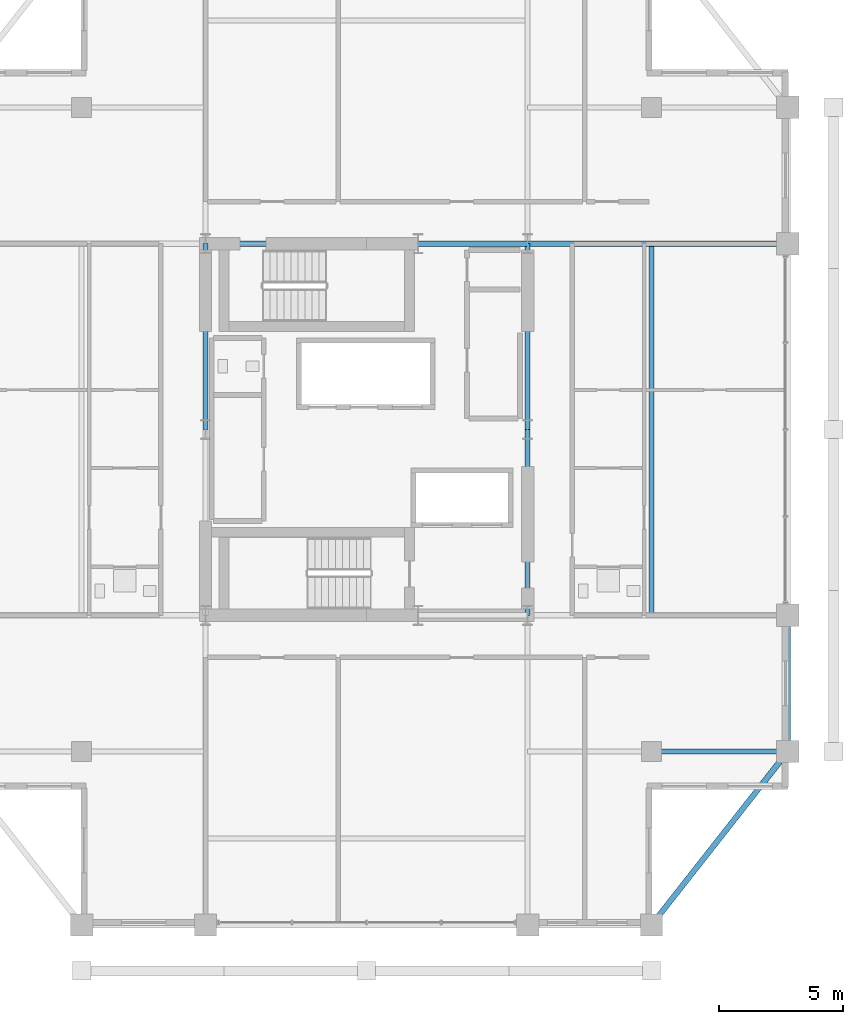
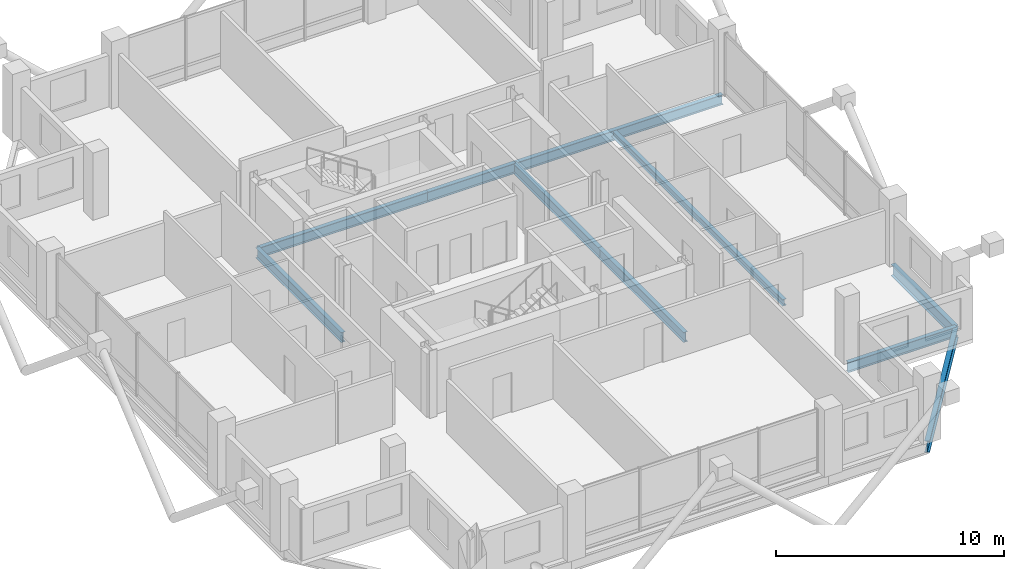
# One storey, part 10 of 23: 10 beams.
"""IFC4 building model written with IfcOpenShell, lengths in metres."""

from ifc_helpers import new_model, si_unit, direction, frame, origin, origin_2d, place, context, subcontext, project, spatial, i_section, extrude, material, material_profile, profile_set, type_object, element, save


model = new_model("IFC4")

# Units and contexts
model_context = context("Model", 3, precision=1e-05, world=origin(), true_north=direction((0.0, 1.0)))
body_context = subcontext(model_context, "Body", "Model", "MODEL_VIEW")
ifc_project = project(units=[si_unit("LENGTHUNIT", "METRE"), si_unit("AREAUNIT", "SQUARE_METRE"), si_unit("VOLUMEUNIT", "CUBIC_METRE"), si_unit("PLANEANGLEUNIT", "RADIAN"), si_unit("MASSUNIT", "GRAM", prefix="KILO")], contexts=[model_context])

# Site, building, storey
site_placement = place(None, origin())
site = spatial("IfcSite", under=ifc_project, at=site_placement, CompositionType="ELEMENT")
building_placement = place(site_placement, origin())
building = spatial("IfcBuilding", under=site, at=building_placement, Name="Barlavira Tower and Art Museum", CompositionType="ELEMENT")
storey_placement = place(building_placement, frame((0.0, 0.0, 290.699951171875)))
storey = spatial("IfcBuildingStorey", under=building, at=storey_placement, Name="L76", CompositionType="ELEMENT", Elevation=290.699951171875)

# Beams
ifc_material = material(Name="Steel S355", Category="steel")
ifc_material_profile_1 = material_profile(ifc_material, i_section(OverallWidth=0.22998046875, OverallDepth=0.616943359375, WebThickness=0.01318359375, FlangeThickness=0.022216796875, at=origin_2d()), Name="W610x140.0")
ifc_profile_set_1 = profile_set([ifc_material_profile_1], Name="Steel S355")
beam_type_1 = type_object("IfcBeamType", Name="Upper Shaft Spandrel Edge Beam W610x140 Steel S355", PredefinedType="SPANDREL", material=ifc_profile_set_1)
beam_1_placement = place(storey_placement, frame((11.5, -20.0, -0.528564453125), z_axis=(0.617821551932, 0.786318338822, 0.0), x_axis=(-0.786318338822, 0.617821551932, 0.0)))
element("IfcBeam", 1, at=beam_1_placement, inside=storey, type_object=beam_type_1, Name="L76 Spandrel 4", PredefinedType="SPANDREL", context=body_context, shape_type="SweptSolid", body=[
    extrude(i_section(OverallWidth=0.22998046875, OverallDepth=0.616943359375, WebThickness=0.01318359375, FlangeThickness=0.022216796875, at=origin_2d()), origin(), (0.0, 0.0, 1.0), 8.90234375),
])
beam_2_placement = place(storey_placement, frame((17.0, -13.0, -0.528564453125), z_axis=(0.0, 1.0, 0.0), x_axis=(-1.0, 0.0, 0.0)))
element("IfcBeam", 2, at=beam_2_placement, inside=storey, type_object=beam_type_1, Name="L76 Spandrel 5", PredefinedType="SPANDREL", context=body_context, shape_type="SweptSolid", body=[
    extrude(i_section(OverallWidth=0.22998046875, OverallDepth=0.616943359375, WebThickness=0.01318359375, FlangeThickness=0.022216796875, at=origin_2d()), origin(), (0.0, 0.0, 1.0), 5.5),
])
ifc_material_profile_2 = material_profile(ifc_material, i_section(OverallWidth=0.2109375, OverallDepth=0.5390625, WebThickness=0.01171875, FlangeThickness=0.018798828125, at=origin_2d()), Name="W530x109.0")
ifc_profile_set_2 = profile_set([ifc_material_profile_2], Name="Steel S355")
beam_type_2 = type_object("IfcBeamType", Name="Zone 3-4 Primary Floor Girder W530x109 Steel S355", PredefinedType="BEAM", material=ifc_profile_set_2)
beam_3_placement = place(storey_placement, frame((-6.5, 7.5, -0.489501953125), z_axis=(1.0, 0.0, 0.0), x_axis=(0.0, 1.0, 0.0)))
element("IfcBeam", 3, at=beam_3_placement, inside=storey, type_object=beam_type_2, Name="L76 Girder C-N1", PredefinedType="BEAM", context=body_context, shape_type="SweptSolid", body=[
    extrude(i_section(OverallWidth=0.2109375, OverallDepth=0.5390625, WebThickness=0.01171875, FlangeThickness=0.018798828125, at=origin_2d()), origin(), (0.0, 0.0, 1.0), 8.580078125),
])
beam_4_placement = place(storey_placement, frame((2.080078125, 7.5, -0.489501953125), z_axis=(1.0, 0.0, 0.0), x_axis=(0.0, 1.0, 0.0)))
element("IfcBeam", 4, at=beam_4_placement, inside=storey, type_object=beam_type_2, Name="L76 Girder C-N2", PredefinedType="BEAM", context=body_context, shape_type="SweptSolid", body=[
    extrude(i_section(OverallWidth=0.2109375, OverallDepth=0.5390625, WebThickness=0.01171875, FlangeThickness=0.018798828125, at=origin_2d()), origin(), (0.0, 0.0, 1.0), 4.419921875),
])
for number, where, z_axis, x_axis, name in (
    (5, (-6.5, 0.0, -0.489501953125), (0.0, 1.0, 0.0), (-1.0, 0.0, 0.0), "L76 Girder C-W2"),
    (6, (6.5, -7.5, -0.489501953125), (0.0, 1.0, 0.0), (-1.0, 0.0, 0.0), "L76 Girder C-E1"),
    (7, (6.5, 0.0, -0.489501953125), (0.0, 1.0, 0.0), (-1.0, 0.0, 0.0), "L76 Girder C-E2"),
):
    element("IfcBeam", number, at=place(storey_placement, frame(where, z_axis=z_axis, x_axis=x_axis)), inside=storey, type_object=beam_type_2, Name=name, PredefinedType="BEAM", context=body_context, shape_type="SweptSolid", body=[
        extrude(i_section(OverallWidth=0.2109375, OverallDepth=0.5390625, WebThickness=0.01171875, FlangeThickness=0.018798828125, at=origin_2d()), origin(), (0.0, 0.0, 1.0), 7.5),
    ])
beam_5_placement = place(storey_placement, frame((6.5, 7.5, -0.489501953125), z_axis=(1.0, 0.0, 0.0), x_axis=(0.0, 1.0, 0.0)))
element("IfcBeam", 8, at=beam_5_placement, inside=storey, type_object=beam_type_2, Name="L76 Girder R-E2", PredefinedType="BEAM", context=body_context, shape_type="SweptSolid", body=[
    extrude(i_section(OverallWidth=0.2109375, OverallDepth=0.5390625, WebThickness=0.01171875, FlangeThickness=0.018798828125, at=origin_2d()), origin(), (0.0, 0.0, 1.0), 10.5),
])
beam_6_placement = place(storey_placement, frame((11.5, -13.0, -0.489501953125), z_axis=(1.0, 0.0, 0.0), x_axis=(0.0, 1.0, 0.0)))
element("IfcBeam", 9, at=beam_6_placement, inside=storey, type_object=beam_type_2, Name="L76 Girder I-S4", PredefinedType="BEAM", context=body_context, shape_type="SweptSolid", body=[
    extrude(i_section(OverallWidth=0.2109375, OverallDepth=0.5390625, WebThickness=0.01171875, FlangeThickness=0.018798828125, at=origin_2d()), origin(), (0.0, 0.0, 1.0), 5.5),
])
ifc_material_profile_3 = material_profile(ifc_material, i_section(OverallWidth=0.202880859375, OverallDepth=0.346923828125, WebThickness=0.0078125, FlangeThickness=0.013427734375, at=origin_2d()), Name="W360x64.0")
ifc_profile_set_3 = profile_set([ifc_material_profile_3], Name="Steel S355")
beam_type_3 = type_object("IfcBeamType", Name="Zone 4 Composite Floor Joist W360x64 Steel S355", PredefinedType="JOIST", material=ifc_profile_set_3)
beam_7_placement = place(storey_placement, frame((11.5, -7.5, -0.3935546875), z_axis=(0.0, 1.0, 0.0), x_axis=(-1.0, 0.0, 0.0)))
element("IfcBeam", 10, at=beam_7_placement, inside=storey, type_object=beam_type_3, Name="L76 Joist W2", PredefinedType="JOIST", context=body_context, shape_type="SweptSolid", body=[
    extrude(i_section(OverallWidth=0.202880859375, OverallDepth=0.346923828125, WebThickness=0.0078125, FlangeThickness=0.013427734375, at=origin_2d()), origin(), (0.0, 0.0, 1.0), 15.0),
])

save(model, "model.ifc")
